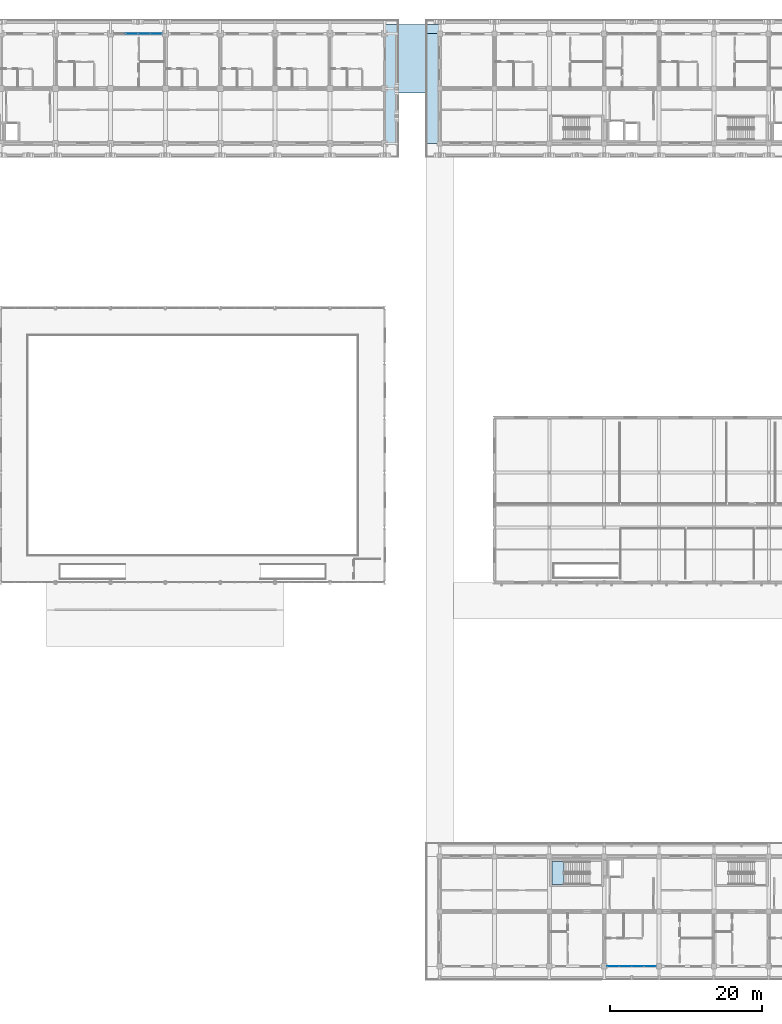
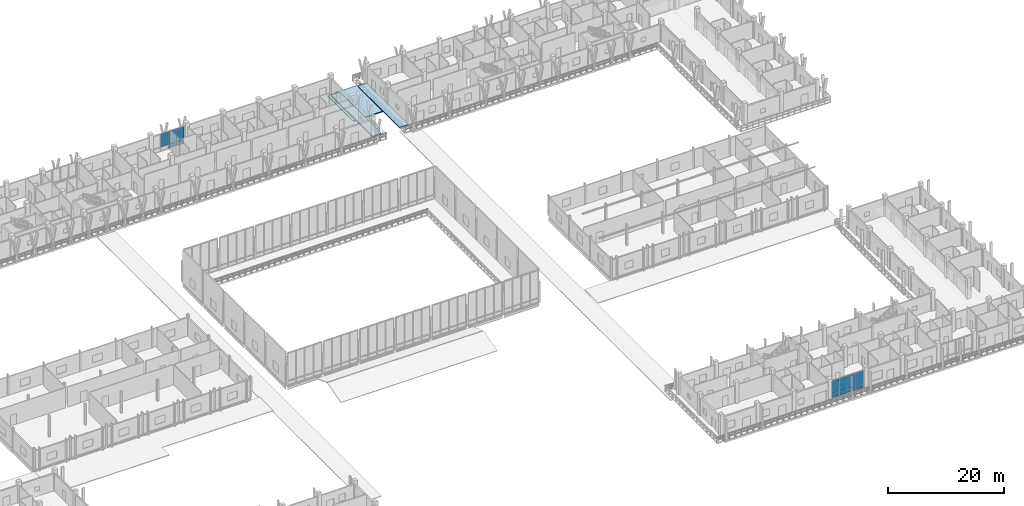
# One storey, part 60 of 110: 13 plates, 4 slabs, 3 elements without a shape of their own.
"""IFC4 building model written with IfcOpenShell, lengths in metres."""

from ifc_helpers import new_model, si_unit, direction, frame, origin, origin_2d, place, context, subcontext, project, spatial, polyline, rectangle, outline, extrude, material, layer, layer_set, type_object, element, aggregate, save


model = new_model("IFC4")

# Units and contexts
model_context = context("Model", 3, precision=1e-05, world=origin(), true_north=direction((0.0, 1.0)))
body_context = subcontext(model_context, "Body", "Model", "MODEL_VIEW")
ifc_project = project(units=[si_unit("LENGTHUNIT", "METRE"), si_unit("AREAUNIT", "SQUARE_METRE"), si_unit("VOLUMEUNIT", "CUBIC_METRE"), si_unit("PLANEANGLEUNIT", "RADIAN"), si_unit("MASSUNIT", "GRAM", prefix="KILO")], contexts=[model_context])

# Site, building, storey
site_placement = place(None, origin())
site = spatial("IfcSite", under=ifc_project, at=site_placement, CompositionType="ELEMENT")
building_placement = place(site_placement, origin())
building = spatial("IfcBuilding", under=site, at=building_placement, Name="Suanplinth Sawtooth Commons", CompositionType="ELEMENT")
storey_placement = place(building_placement, frame((0.0, 0.0, 4.5)))
storey = spatial("IfcBuildingStorey", under=building, at=storey_placement, Name="L01", CompositionType="ELEMENT", Elevation=4.5)

# Curtain wall, plates
ifc_material_1 = material(Name="Anodized aluminium and low-E glazing", Category="aluminium")
curtain_wall_type = type_object("IfcCurtainWallType", Name="CW-06", PredefinedType="USERDEFINED", material=ifc_material_1)
curtain_wall_1_placement = place(storey_placement, origin())
curtain_wall_1 = element("IfcCurtainWall", 1, at=curtain_wall_1_placement, inside=storey, type_object=curtain_wall_type, Name="Curtain Wall CW-L01-A-LOUNGE-11", ObjectType="CURTAIN WALL", PredefinedType="USERDEFINED")
ifc_material_2 = material(Name="Tempered low-E double glazing", Category="glass")
ifc_layer_1 = layer(ifc_material_2, 0.028076171875, Name="Vision low-E insulated glazing unit 28mm")
ifc_layer_set_1 = layer_set([ifc_layer_1], Name="Tempered low-E double glazing")
plate_type = type_object("IfcPlateType", Name="PL-05", PredefinedType="CURTAIN_PANEL", material=ifc_layer_set_1)
plate_1_placement = place(storey_placement, frame((82.0, 122.39990234375, 0.9326171875), z_axis=(0.0, 0.0, 1.0), x_axis=(1.0, 0.0, 0.0)))
plate_1 = element("IfcPlate", 2, at=plate_1_placement, type_object=plate_type, Name="CW-06 panel 2.2", PredefinedType="CURTAIN_PANEL", context=body_context, shape_type="SweptSolid", body=[
    extrude(rectangle(XDim=1.534912109375, YDim=0.028076171875, at=origin_2d()), origin(), (0.0, 0.0, 1.0), 2.732421875),
])
plate_2_placement = place(storey_placement, frame((83.60009765625, 122.39990234375, 0.06494140625), z_axis=(0.0, 0.0, 1.0), x_axis=(1.0, 0.0, 0.0)))
plate_2 = element("IfcPlate", 3, at=plate_2_placement, type_object=plate_type, Name="CW-06 panel 3.1", PredefinedType="CURTAIN_PANEL", context=body_context, shape_type="SweptSolid", body=[
    extrude(rectangle(XDim=1.534912109375, YDim=0.028076171875, at=origin_2d()), origin(), (0.0, 0.0, 1.0), 0.802490234375),
])
plate_3_placement = place(storey_placement, frame((83.60009765625, 122.39990234375, 0.9326171875), z_axis=(0.0, 0.0, 1.0), x_axis=(1.0, 0.0, 0.0)))
plate_3 = element("IfcPlate", 4, at=plate_3_placement, type_object=plate_type, Name="CW-06 panel 3.2", PredefinedType="CURTAIN_PANEL", context=body_context, shape_type="SweptSolid", body=[
    extrude(rectangle(XDim=1.534912109375, YDim=0.028076171875, at=origin_2d()), origin(), (0.0, 0.0, 1.0), 2.732421875),
])
plate_4_placement = place(storey_placement, frame((85.183837890625, 122.39990234375, 0.06494140625), z_axis=(0.0, 0.0, 1.0), x_axis=(1.0, 0.0, 0.0)))
plate_4 = element("IfcPlate", 5, at=plate_4_placement, type_object=plate_type, Name="CW-06 panel 4.1", PredefinedType="CURTAIN_PANEL", context=body_context, shape_type="SweptSolid", body=[
    extrude(rectangle(XDim=1.50244140625, YDim=0.028076171875, at=origin_2d()), origin(), (0.0, 0.0, 1.0), 0.802490234375),
])
plate_5_placement = place(storey_placement, frame((85.183837890625, 122.39990234375, 0.9326171875), z_axis=(0.0, 0.0, 1.0), x_axis=(1.0, 0.0, 0.0)))
plate_5 = element("IfcPlate", 6, at=plate_5_placement, type_object=plate_type, Name="CW-06 panel 4.2", PredefinedType="CURTAIN_PANEL", context=body_context, shape_type="SweptSolid", body=[
    extrude(rectangle(XDim=1.50244140625, YDim=0.028076171875, at=origin_2d()), origin(), (0.0, 0.0, 1.0), 2.732421875),
])
aggregate(curtain_wall_1, [plate_1, plate_2, plate_3, plate_4, plate_5])

curtain_wall_2_placement = place(storey_placement, origin())
curtain_wall_2 = element("IfcCurtainWall", 7, at=curtain_wall_2_placement, inside=storey, type_object=curtain_wall_type, Name="Curtain Wall CW-L01-C-LOUNGE-20", ObjectType="CURTAIN WALL", PredefinedType="USERDEFINED")
plate_6_placement = place(storey_placement, frame((145.1787109375, 0.0, 0.06494140625), z_axis=(0.0, 0.0, 1.0), x_axis=(1.0, 0.0, 0.0)))
plate_6 = element("IfcPlate", 8, at=plate_6_placement, type_object=plate_type, Name="CW-06 panel 1.1", PredefinedType="CURTAIN_PANEL", context=body_context, shape_type="SweptSolid", body=[
    extrude(rectangle(XDim=1.527587890625, YDim=0.028076171875, at=origin_2d()), origin(), (0.0, 0.0, 1.0), 0.802490234375),
])
plate_7_placement = place(storey_placement, frame((145.1787109375, 0.0, 0.9326171875), z_axis=(0.0, 0.0, 1.0), x_axis=(1.0, 0.0, 0.0)))
plate_7 = element("IfcPlate", 9, at=plate_7_placement, type_object=plate_type, Name="CW-06 panel 1.2", PredefinedType="CURTAIN_PANEL", context=body_context, shape_type="SweptSolid", body=[
    extrude(rectangle(XDim=1.527587890625, YDim=0.028076171875, at=origin_2d()), origin(), (0.0, 0.0, 1.0), 2.732421875),
])
plate_8_placement = place(storey_placement, frame((146.78759765625, 0.0, 0.06494140625), z_axis=(0.0, 0.0, 1.0), x_axis=(1.0, 0.0, 0.0)))
plate_8 = element("IfcPlate", 10, at=plate_8_placement, type_object=plate_type, Name="CW-06 panel 2.1", PredefinedType="CURTAIN_PANEL", context=body_context, shape_type="SweptSolid", body=[
    extrude(rectangle(XDim=1.56005859375, YDim=0.028076171875, at=origin_2d()), origin(), (0.0, 0.0, 1.0), 0.802490234375),
])
plate_9_placement = place(storey_placement, frame((146.78759765625, 0.0, 0.9326171875), z_axis=(0.0, 0.0, 1.0), x_axis=(1.0, 0.0, 0.0)))
plate_9 = element("IfcPlate", 11, at=plate_9_placement, type_object=plate_type, Name="CW-06 panel 2.2", PredefinedType="CURTAIN_PANEL", context=body_context, shape_type="SweptSolid", body=[
    extrude(rectangle(XDim=1.56005859375, YDim=0.028076171875, at=origin_2d()), origin(), (0.0, 0.0, 1.0), 2.732421875),
])
plate_10_placement = place(storey_placement, frame((148.41259765625, 0.0, 0.06494140625), z_axis=(0.0, 0.0, 1.0), x_axis=(1.0, 0.0, 0.0)))
plate_10 = element("IfcPlate", 12, at=plate_10_placement, type_object=plate_type, Name="CW-06 panel 3.1", PredefinedType="CURTAIN_PANEL", context=body_context, shape_type="SweptSolid", body=[
    extrude(rectangle(XDim=1.56005859375, YDim=0.028076171875, at=origin_2d()), origin(), (0.0, 0.0, 1.0), 0.802490234375),
])
plate_11_placement = place(storey_placement, frame((148.41259765625, 0.0, 0.9326171875), z_axis=(0.0, 0.0, 1.0), x_axis=(1.0, 0.0, 0.0)))
plate_11 = element("IfcPlate", 13, at=plate_11_placement, type_object=plate_type, Name="CW-06 panel 3.2", PredefinedType="CURTAIN_PANEL", context=body_context, shape_type="SweptSolid", body=[
    extrude(rectangle(XDim=1.56005859375, YDim=0.028076171875, at=origin_2d()), origin(), (0.0, 0.0, 1.0), 2.732421875),
])
plate_12_placement = place(storey_placement, frame((150.021240234375, 0.0, 0.06494140625), z_axis=(0.0, 0.0, 1.0), x_axis=(1.0, 0.0, 0.0)))
plate_12 = element("IfcPlate", 14, at=plate_12_placement, type_object=plate_type, Name="CW-06 panel 4.1", PredefinedType="CURTAIN_PANEL", context=body_context, shape_type="SweptSolid", body=[
    extrude(rectangle(XDim=1.527587890625, YDim=0.028076171875, at=origin_2d()), origin(), (0.0, 0.0, 1.0), 0.802490234375),
])
plate_13_placement = place(storey_placement, frame((150.021240234375, 0.0, 0.9326171875), z_axis=(0.0, 0.0, 1.0), x_axis=(1.0, 0.0, 0.0)))
plate_13 = element("IfcPlate", 15, at=plate_13_placement, type_object=plate_type, Name="CW-06 panel 4.2", PredefinedType="CURTAIN_PANEL", context=body_context, shape_type="SweptSolid", body=[
    extrude(rectangle(XDim=1.527587890625, YDim=0.028076171875, at=origin_2d()), origin(), (0.0, 0.0, 1.0), 2.732421875),
])
aggregate(curtain_wall_2, [plate_6, plate_7, plate_8, plate_9, plate_10, plate_11, plate_12, plate_13])

# Slabs
ifc_material_3 = material(Name="Precast concrete C40/50", Category="concrete")
ifc_layer_2 = layer(ifc_material_3, 0.179931640625, Name="Wrap-around cantilevered precast balcony slab 180mm")
ifc_layer_set_2 = layer_set([ifc_layer_2], Name="Precast concrete C40/50")
slab_type_1 = type_object("IfcSlabType", Name="S-BL01", PredefinedType="FLOOR", material=ifc_layer_set_2)
slab_1_placement = place(storey_placement, frame((0.0, 0.0, -0.179931640625)))
element("IfcSlab", 16, at=slab_1_placement, inside=storey, type_object=slab_type_1, Name="L01 Block A Wrap-Around Balcony E", PredefinedType="FLOOR", context=body_context, shape_type="SweptSolid", body=[
    extrude(outline(polyline([(117.0, 122.39990234375), (117.0, 108.0), (115.199951171875, 108.0), (115.199951171875, 122.39990234375), (117.0, 122.39990234375)])), origin(), (0.0, 0.0, 1.0), 0.179931640625),
])
slab_2_placement = place(storey_placement, frame((0.0, 0.0, -0.179931640625)))
element("IfcSlab", 17, at=slab_2_placement, inside=storey, type_object=slab_type_1, Name="L01 Block B Wrap-Around Balcony WEND", PredefinedType="FLOOR", context=body_context, shape_type="SweptSolid", body=[
    extrude(outline(polyline([(122.39990234375, 108.0), (120.60009765625, 108.0), (120.60009765625, 122.39990234375), (122.39990234375, 122.39990234375), (122.39990234375, 108.0)])), origin(), (0.0, 0.0, 1.0), 0.179931640625),
])

# Stair, slab
ifc_material_4 = material(Name="Concrete C40/50", Category="concrete")
stair_type = type_object("IfcStairType", Name="ST-06", PredefinedType="USERDEFINED", material=ifc_material_4)
stair_placement = place(storey_placement, origin())
stair = element("IfcStair", 18, at=stair_placement, inside=storey, type_object=stair_type, Name="L01 Exit Stair ST-S1", ObjectType="TWO_RETURN_STAIR", PredefinedType="USERDEFINED")
ifc_layer_3 = layer(ifc_material_4, 0.199951171875, Name="Reinforced concrete stair and ramp landing slab 200mm")
ifc_layer_set_3 = layer_set([ifc_layer_3], Name="Concrete C40/50")
slab_type_2 = type_object("IfcSlabType", Name="S-LD01", PredefinedType="LANDING", material=ifc_layer_set_3)
slab_3_placement = place(storey_placement, frame((0.0, 0.0, 2.050048828125)))
slab_3 = element("IfcSlab", 19, at=slab_3_placement, type_object=slab_type_2, Name="ST-06 landing 1", PredefinedType="LANDING", context=body_context, shape_type="SweptSolid", body=[
    extrude(outline(polyline([(138.72998046875, 13.75), (137.14990234375, 13.75), (137.14990234375, 10.75), (138.72998046875, 10.75), (138.72998046875, 13.75)])), origin(), (0.0, 0.0, 1.0), 0.199951171875),
])
aggregate(stair, [slab_3])

# Slab
ifc_material_5 = material(Name="Concrete C35/45", Category="concrete")
ifc_layer_4 = layer(ifc_material_5, 0.159912109375, Name="Market gable & breezeway canopy roof slab 160mm")
ifc_layer_set_4 = layer_set([ifc_layer_4], Name="Concrete C35/45")
slab_type_3 = type_object("IfcSlabType", Name="S-RF03", PredefinedType="ROOF", material=ifc_layer_set_4)
slab_4_placement = place(storey_placement, frame((0.0, 0.0, -0.949951171875)))
element("IfcSlab", 20, at=slab_4_placement, inside=storey, type_object=slab_type_3, Name="North Street Gateway Pavilion Canopy", PredefinedType="ROOF", context=body_context, shape_type="SweptSolid", body=[
    extrude(outline(polyline([(115.199951171875, 114.60009765625), (122.39990234375, 114.60009765625), (122.39990234375, 123.60009765625), (115.199951171875, 123.60009765625), (115.199951171875, 114.60009765625)])), origin(), (0.0, 0.0, 1.0), 0.199951171875),
])

save(model, "model.ifc")
